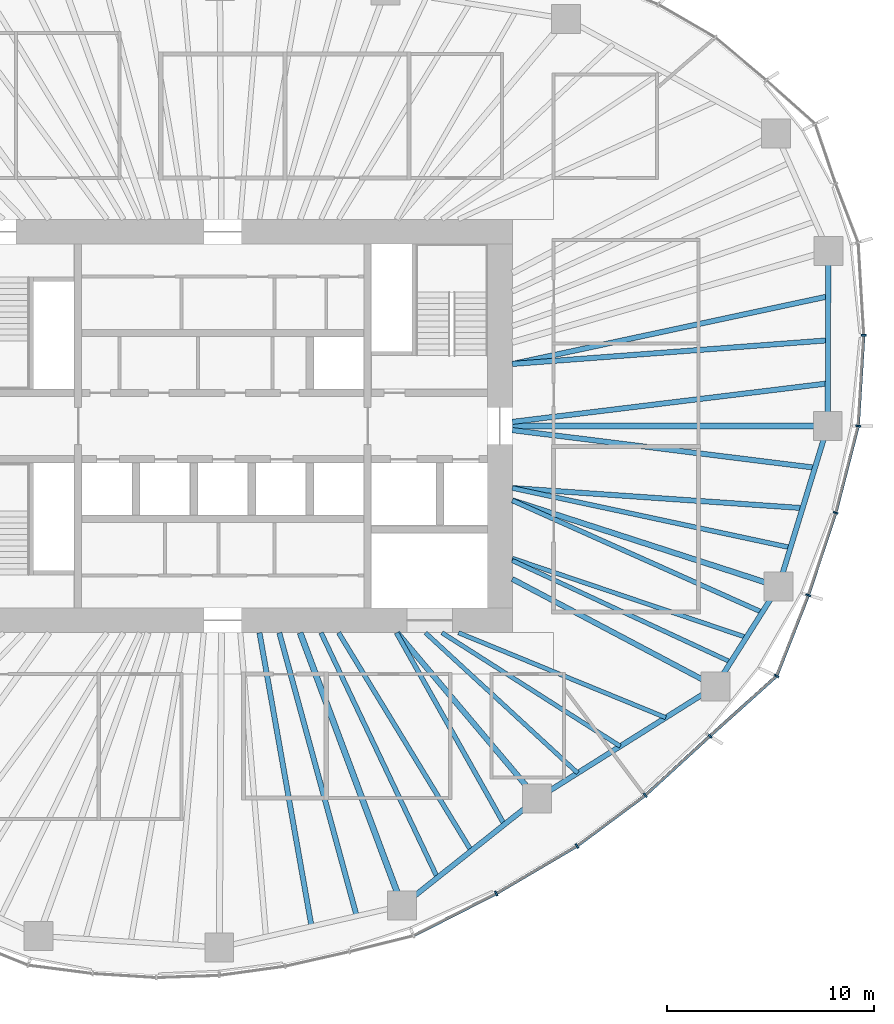
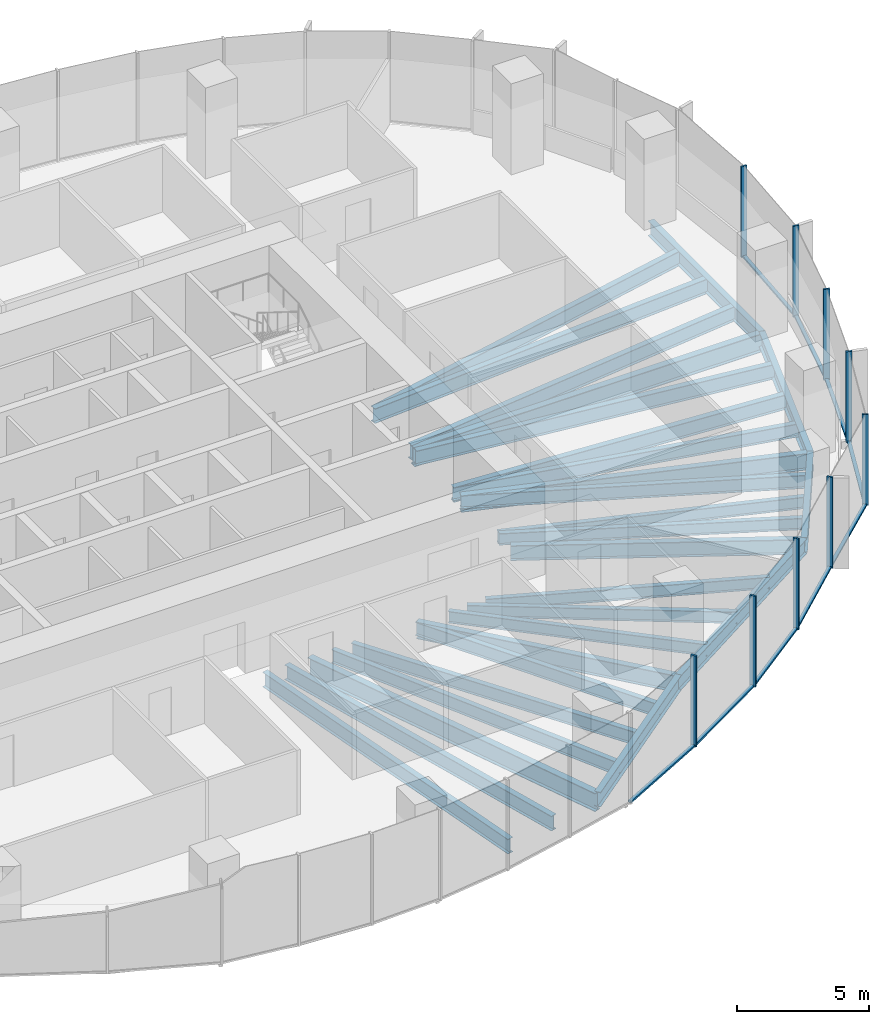
# One storey, part 4 of 18: 27 beams, 18 members, 5 elements without a shape of their own.
"""IFC4 building model written with IfcOpenShell, lengths in metres."""

from ifc_helpers import new_model, si_unit, direction, frame, origin, origin_2d, place, context, subcontext, project, spatial, rectangle, i_section, extrude, material, material_profile, profile_set, type_object, element, aggregate, save


model = new_model("IFC4")

# Units and contexts
model_context = context("Model", 3, precision=1e-05, world=origin(), true_north=direction((0.0, 1.0)))
body_context = subcontext(model_context, "Body", "Model", "MODEL_VIEW")
ifc_project = project(units=[si_unit("LENGTHUNIT", "METRE"), si_unit("AREAUNIT", "SQUARE_METRE"), si_unit("VOLUMEUNIT", "CUBIC_METRE"), si_unit("PLANEANGLEUNIT", "RADIAN"), si_unit("MASSUNIT", "GRAM", prefix="KILO")], contexts=[model_context])

# Site, building, storey
site_placement = place(None, origin())
site = spatial("IfcSite", under=ifc_project, at=site_placement, CompositionType="ELEMENT")
building_placement = place(site_placement, origin())
building = spatial("IfcBuilding", under=site, at=building_placement, Name="Ghaith Harvest Tower", CompositionType="ELEMENT")
storey_placement = place(building_placement, frame((0.0, 0.0, 163.800048828125)))
storey = spatial("IfcBuildingStorey", under=building, at=storey_placement, Name="L35", CompositionType="ELEMENT", Elevation=163.800048828125)

# Curtain wall, members
ifc_material_1 = material(Name="Black anodised aluminium and fritted glass", Category="aluminium")
curtain_wall_type = type_object("IfcCurtainWallType", Name="CW-L CURTAIN WALL", PredefinedType="NOTDEFINED", material=ifc_material_1)
curtain_wall_1_placement = place(storey_placement, origin())
curtain_wall_1 = element("IfcCurtainWall", 1, at=curtain_wall_1_placement, inside=storey, type_object=curtain_wall_type, Name="Curtain wall CW-L bay 01 L35", PredefinedType="NOTDEFINED")
ifc_material_2 = material(Name="Aluminium, black anodised", Category="aluminium")
ifc_material_profile_1 = material_profile(ifc_material_2, rectangle(XDim=0.080078125, YDim=0.239990234375, at=origin_2d()), Name="CW-L MULLION 80x240")
ifc_profile_set_1 = profile_set([ifc_material_profile_1], Name="Aluminium, black anodised")
member_type_1 = type_object("IfcMemberType", Name="CW-L MULLION 80x240", PredefinedType="MULLION", material=ifc_profile_set_1)
member_1_placement = place(storey_placement, frame((30.728759765625, 0.0, 0.0), z_axis=(0.0, 0.0, 1.0), x_axis=(0.155597142981, 0.987820595602, 0.0)))
member_1 = element("IfcMember", 2, at=member_1_placement, type_object=member_type_1, Name="CW-L mullion 1 bay 01 L35", PredefinedType="MULLION", context=body_context, shape_type="SweptSolid", body=[
    extrude(rectangle(XDim=0.080078125, YDim=0.239990234375, at=origin_2d()), origin(), (0.0, 0.0, 1.0), 4.199951171875),
])
member_2_placement = place(storey_placement, frame((30.998779296875, 4.389892578125, 0.0), z_axis=(0.0, 0.0, 1.0), x_axis=(-0.000162467394, 0.999999986802, 0.0)))
member_2 = element("IfcMember", 3, at=member_2_placement, type_object=member_type_1, Name="CW-L mullion 2 bay 01 L35", PredefinedType="MULLION", context=body_context, shape_type="SweptSolid", body=[
    extrude(rectangle(XDim=0.080078125, YDim=0.239990234375, at=origin_2d()), origin(), (0.0, 0.0, 1.0), 4.199951171875),
])

# Curtain wall, member
curtain_wall_2_placement = place(storey_placement, origin())
curtain_wall_2 = element("IfcCurtainWall", 4, at=curtain_wall_2_placement, inside=storey, type_object=curtain_wall_type, Name="Curtain wall CW-L bay 17 L35", PredefinedType="NOTDEFINED")
member_3_placement = place(storey_placement, frame((13.224365234375, -22.614013671875, 0.0), z_axis=(0.0, 0.0, 1.0), x_axis=(0.876898762173, 0.480675109507, 0.0)))
member_3 = element("IfcMember", 5, at=member_3_placement, type_object=member_type_1, Name="CW-L mullion 2 bay 17 L35", PredefinedType="MULLION", context=body_context, shape_type="SweptSolid", body=[
    extrude(rectangle(XDim=0.080078125, YDim=0.239990234375, at=origin_2d()), origin(), (0.0, 0.0, 1.0), 4.199951171875),
])

# Curtain wall, members
curtain_wall_3_placement = place(storey_placement, origin())
curtain_wall_3 = element("IfcCurtainWall", 6, at=curtain_wall_3_placement, inside=storey, type_object=curtain_wall_type, Name="Curtain wall CW-L bay 18 L35", PredefinedType="NOTDEFINED")
member_4_placement = place(storey_placement, frame((17.1318359375, -20.31591796875, 0.0), z_axis=(0.0, 0.0, 1.0), x_axis=(0.834887453241, 0.550420694035, 0.0)))
member_4 = element("IfcMember", 7, at=member_4_placement, type_object=member_type_1, Name="CW-L mullion 1 bay 18 L35", PredefinedType="MULLION", context=body_context, shape_type="SweptSolid", body=[
    extrude(rectangle(XDim=0.080078125, YDim=0.239990234375, at=origin_2d()), origin(), (0.0, 0.0, 1.0), 4.199951171875),
])
member_5_placement = place(storey_placement, frame((20.4296875, -17.86376953125, 0.0), z_axis=(0.0, 0.0, 1.0), x_axis=(0.770306399656, 0.637673937564, 0.0)))
member_5 = element("IfcMember", 8, at=member_5_placement, type_object=member_type_1, Name="CW-L mullion 2 bay 18 L35", PredefinedType="MULLION", context=body_context, shape_type="SweptSolid", body=[
    extrude(rectangle(XDim=0.080078125, YDim=0.239990234375, at=origin_2d()), origin(), (0.0, 0.0, 1.0), 4.199951171875),
])

curtain_wall_4_placement = place(storey_placement, origin())
curtain_wall_4 = element("IfcCurtainWall", 9, at=curtain_wall_4_placement, inside=storey, type_object=curtain_wall_type, Name="Curtain wall CW-L bay 19 L35", PredefinedType="NOTDEFINED")
member_6_placement = place(storey_placement, frame((23.560546875, -14.994140625, 0.0), z_axis=(0.0, 0.0, 1.0), x_axis=(0.740389054945, 0.672178582906, 0.0)))
member_6 = element("IfcMember", 10, at=member_6_placement, type_object=member_type_1, Name="CW-L mullion 1 bay 19 L35", PredefinedType="MULLION", context=body_context, shape_type="SweptSolid", body=[
    extrude(rectangle(XDim=0.080078125, YDim=0.239990234375, at=origin_2d()), origin(), (0.0, 0.0, 1.0), 4.199951171875),
])
member_7_placement = place(storey_placement, frame((26.786376953125, -12.0927734375, 0.0), z_axis=(0.0, 0.0, 1.0), x_axis=(0.572853476908, 0.819657790785, 0.0)))
member_7 = element("IfcMember", 11, at=member_7_placement, type_object=member_type_1, Name="CW-L mullion 2 bay 19 L35", PredefinedType="MULLION", context=body_context, shape_type="SweptSolid", body=[
    extrude(rectangle(XDim=0.080078125, YDim=0.239990234375, at=origin_2d()), origin(), (0.0, 0.0, 1.0), 4.199951171875),
])

curtain_wall_5_placement = place(storey_placement, origin())
curtain_wall_5 = element("IfcCurtainWall", 12, at=curtain_wall_5_placement, inside=storey, type_object=curtain_wall_type, Name="Curtain wall CW-L bay 20 L35", PredefinedType="NOTDEFINED")
member_8_placement = place(storey_placement, frame((28.319580078125, -8.184814453125, 0.0), z_axis=(0.0, 0.0, 1.0), x_axis=(0.34057402484, 0.94021770543, 0.0)))
member_8 = element("IfcMember", 13, at=member_8_placement, type_object=member_type_1, Name="CW-L mullion 1 bay 20 L35", PredefinedType="MULLION", context=body_context, shape_type="SweptSolid", body=[
    extrude(rectangle(XDim=0.080078125, YDim=0.239990234375, at=origin_2d()), origin(), (0.0, 0.0, 1.0), 4.199951171875),
])
member_9_placement = place(storey_placement, frame((29.64599609375, -4.1982421875, 0.0), z_axis=(0.0, 0.0, 1.0), x_axis=(0.282375140161, 0.959304060358, 0.0)))
member_9 = element("IfcMember", 14, at=member_9_placement, type_object=member_type_1, Name="CW-L mullion 2 bay 20 L35", PredefinedType="MULLION", context=body_context, shape_type="SweptSolid", body=[
    extrude(rectangle(XDim=0.080078125, YDim=0.239990234375, at=origin_2d()), origin(), (0.0, 0.0, 1.0), 4.199951171875),
])

# Member
ifc_material_3 = material(Name="Aluminium, black anodised", Category="aluminium")
ifc_material_profile_2 = material_profile(ifc_material_3, rectangle(XDim=0.14990234375, YDim=0.080078125, at=origin_2d()), Name="CW-L TRANSOM 150x80")
ifc_profile_set_2 = profile_set([ifc_material_profile_2], Name="Aluminium, black anodised")
member_type_2 = type_object("IfcMemberType", Name="CW-L TRANSOM 150x80", PredefinedType="USERDEFINED", material=ifc_profile_set_2)
member_10_placement = place(storey_placement, frame((30.731201171875, 0.0400390625, 0.0400390625), z_axis=(0.061403204251, 0.99811304295, 0.0), x_axis=(-0.99811304295, 0.061403204251, 0.0)))
member_10 = element("IfcMember", 15, at=member_10_placement, type_object=member_type_2, Name="CW-L transom 1 bay 01 L35", ObjectType="TRANSOM", PredefinedType="USERDEFINED", context=body_context, shape_type="SweptSolid", body=[
    extrude(rectangle(XDim=0.14990234375, YDim=0.080078125, at=origin_2d()), origin(), (0.0, 0.0, 1.0), 4.31787109375),
])

aggregate(curtain_wall_1, [member_1, member_10, member_2])

member_11_placement = place(storey_placement, frame((9.25244140625, -24.636474609375, 0.0400390625), z_axis=(0.891120044719, 0.453767634258, 0.0), x_axis=(-0.453767634258, 0.891120044719, 0.0)))
member_11 = element("IfcMember", 16, at=member_11_placement, type_object=member_type_2, Name="CW-L transom 1 bay 17 L35", ObjectType="TRANSOM", PredefinedType="USERDEFINED", context=body_context, shape_type="SweptSolid", body=[
    extrude(rectangle(XDim=0.14990234375, YDim=0.080078125, at=origin_2d()), origin(), (0.0, 0.0, 1.0), 4.417236328125),
])

member_12_placement = place(storey_placement, frame((13.259033203125, -22.59375, 0.0400390625), z_axis=(0.86196381091, 0.506969810424, 0.0), x_axis=(-0.506969810424, 0.86196381091, 0.0)))
member_12 = element("IfcMember", 17, at=member_12_placement, type_object=member_type_2, Name="CW-L transom 2 bay 17 L35", ObjectType="TRANSOM", PredefinedType="USERDEFINED", context=body_context, shape_type="SweptSolid", body=[
    extrude(rectangle(XDim=0.14990234375, YDim=0.080078125, at=origin_2d()), origin(), (0.0, 0.0, 1.0), 4.453125),
])

aggregate(curtain_wall_2, [member_11, member_3, member_12])

member_13_placement = place(storey_placement, frame((17.1640625, -20.2919921875, 0.0400390625), z_axis=(0.802465316609, 0.59669876457, 0.0), x_axis=(-0.59669876457, 0.802465316609, 0.0)))
member_13 = element("IfcMember", 18, at=member_13_placement, type_object=member_type_2, Name="CW-L transom 1 bay 18 L35", ObjectType="TRANSOM", PredefinedType="USERDEFINED", context=body_context, shape_type="SweptSolid", body=[
    extrude(rectangle(XDim=0.14990234375, YDim=0.080078125, at=origin_2d()), origin(), (0.0, 0.0, 1.0), 4.029296875),
])

member_14_placement = place(storey_placement, frame((20.459228515625, -17.836669921875, 0.0400390625), z_axis=(0.737197916434, 0.675676869521, 0.0), x_axis=(-0.675676869521, 0.737197916434, 0.0)))
member_14 = element("IfcMember", 19, at=member_14_placement, type_object=member_type_2, Name="CW-L transom 2 bay 18 L35", ObjectType="TRANSOM", PredefinedType="USERDEFINED", context=body_context, shape_type="SweptSolid", body=[
    extrude(rectangle(XDim=0.14990234375, YDim=0.080078125, at=origin_2d()), origin(), (0.0, 0.0, 1.0), 4.166748046875),
])

aggregate(curtain_wall_3, [member_4, member_13, member_5, member_14])

member_15_placement = place(storey_placement, frame((23.59033203125, -14.967529296875, 0.0400390625), z_axis=(0.74346800111, 0.668771509056, 0.0), x_axis=(-0.668771509056, 0.74346800111, 0.0)))
member_15 = element("IfcMember", 20, at=member_15_placement, type_object=member_type_2, Name="CW-L transom 1 bay 19 L35", ObjectType="TRANSOM", PredefinedType="USERDEFINED", context=body_context, shape_type="SweptSolid", body=[
    extrude(rectangle(XDim=0.14990234375, YDim=0.080078125, at=origin_2d()), origin(), (0.0, 0.0, 1.0), 4.2587890625),
])

member_16_placement = place(storey_placement, frame((26.801025390625, -12.055419921875, 0.0400390625), z_axis=(0.365228588652, 0.930917868575, 0.0), x_axis=(-0.930917868575, 0.365228588652, 0.0)))
member_16 = element("IfcMember", 21, at=member_16_placement, type_object=member_type_2, Name="CW-L transom 2 bay 19 L35", ObjectType="TRANSOM", PredefinedType="USERDEFINED", context=body_context, shape_type="SweptSolid", body=[
    extrude(rectangle(XDim=0.14990234375, YDim=0.080078125, at=origin_2d()), origin(), (0.0, 0.0, 1.0), 4.11767578125),
])

aggregate(curtain_wall_4, [member_6, member_15, member_7, member_16])

member_17_placement = place(storey_placement, frame((28.33203125, -8.14697265625, 0.0400390625), z_axis=(0.315712391444, 0.948854934059, 0.0), x_axis=(-0.948854934059, 0.315712391444, 0.0)))
member_17 = element("IfcMember", 22, at=member_17_placement, type_object=member_type_2, Name="CW-L transom 1 bay 20 L35", ObjectType="TRANSOM", PredefinedType="USERDEFINED", context=body_context, shape_type="SweptSolid", body=[
    extrude(rectangle(XDim=0.14990234375, YDim=0.080078125, at=origin_2d()), origin(), (0.0, 0.0, 1.0), 4.12158203125),
])

member_18_placement = place(storey_placement, frame((29.656005859375, -4.159423828125, 0.0400390625), z_axis=(0.249737470584, 0.968313583395, 0.0), x_axis=(-0.968313583395, 0.249737470584, 0.0)))
member_18 = element("IfcMember", 23, at=member_18_placement, type_object=member_type_2, Name="CW-L transom 2 bay 20 L35", ObjectType="TRANSOM", PredefinedType="USERDEFINED", context=body_context, shape_type="SweptSolid", body=[
    extrude(rectangle(XDim=0.14990234375, YDim=0.080078125, at=origin_2d()), origin(), (0.0, 0.0, 1.0), 4.25537109375),
])

aggregate(curtain_wall_5, [member_8, member_17, member_9, member_18])

# Beams
ifc_material_4 = material(Name="Steel ASTM A992 Grade 50", Category="steel")
ifc_material_profile_3 = material_profile(ifc_material_4, i_section(OverallWidth=0.25390625, OverallDepth=0.68408203125, WebThickness=0.012451171875, FlangeThickness=0.018798828125, at=origin_2d()), Name="W690X140")
ifc_profile_set_3 = profile_set([ifc_material_profile_3], Name="Steel ASTM A992 Grade 50")
beam_type_1 = type_object("IfcBeamType", Name="E690-140 W690X140", PredefinedType="SPANDREL", material=ifc_profile_set_3)
beam_1_placement = place(storey_placement, frame((29.259033203125, 0.0, -0.511962890625), z_axis=(0.003172847394, 0.999994966507, 0.0), x_axis=(-0.999994966507, 0.003172847394, 0.0)))
element("IfcBeam", 24, at=beam_1_placement, inside=storey, type_object=beam_type_1, Name="Edge beam E01 L35", PredefinedType="SPANDREL", context=body_context, shape_type="SweptSolid", body=[
    extrude(i_section(OverallWidth=0.25390625, OverallDepth=0.68408203125, WebThickness=0.012451171875, FlangeThickness=0.018798828125, at=origin_2d()), origin(), (0.0, 0.0, 1.0), 8.464111328125),
])
beam_2_placement = place(storey_placement, frame((8.674072265625, -23.202880859375, -0.511962890625), z_axis=(0.783159540917, 0.621820821033, 0.0), x_axis=(-0.621820821033, 0.783159540917, 0.0)))
element("IfcBeam", 25, at=beam_2_placement, inside=storey, type_object=beam_type_1, Name="Edge beam E17 L35", PredefinedType="SPANDREL", context=body_context, shape_type="SweptSolid", body=[
    extrude(i_section(OverallWidth=0.25390625, OverallDepth=0.68408203125, WebThickness=0.012451171875, FlangeThickness=0.018798828125, at=origin_2d()), origin(), (0.0, 0.0, 1.0), 8.330322265625),
])
beam_3_placement = place(storey_placement, frame((15.197998046875, -18.02294921875, -0.511962890625), z_axis=(0.846385185363, 0.532571232793, 0.0), x_axis=(-0.532571232793, 0.846385185363, 0.0)))
element("IfcBeam", 26, at=beam_3_placement, inside=storey, type_object=beam_type_1, Name="Edge beam E18 L35", PredefinedType="SPANDREL", context=body_context, shape_type="SweptSolid", body=[
    extrude(i_section(OverallWidth=0.25390625, OverallDepth=0.68408203125, WebThickness=0.012451171875, FlangeThickness=0.018798828125, at=origin_2d()), origin(), (0.0, 0.0, 1.0), 10.19384765625),
])
beam_4_placement = place(storey_placement, frame((23.825927734375, -12.593994140625, -0.511962890625), z_axis=(0.534499624093, 0.845168712059, 0.0), x_axis=(-0.845168712059, 0.534499624093, 0.0)))
element("IfcBeam", 27, at=beam_4_placement, inside=storey, type_object=beam_type_1, Name="Edge beam E19 L35", PredefinedType="SPANDREL", context=body_context, shape_type="SweptSolid", body=[
    extrude(i_section(OverallWidth=0.25390625, OverallDepth=0.68408203125, WebThickness=0.012451171875, FlangeThickness=0.018798828125, at=origin_2d()), origin(), (0.0, 0.0, 1.0), 5.7099609375),
])
beam_5_placement = place(storey_placement, frame((26.8779296875, -7.76806640625, -0.511962890625), z_axis=(0.293065809375, 0.956092271371, 0.0), x_axis=(-0.956092271371, 0.293065809375, 0.0)))
element("IfcBeam", 28, at=beam_5_placement, inside=storey, type_object=beam_type_1, Name="Edge beam E20 L35", PredefinedType="SPANDREL", context=body_context, shape_type="SweptSolid", body=[
    extrude(i_section(OverallWidth=0.25390625, OverallDepth=0.68408203125, WebThickness=0.012451171875, FlangeThickness=0.018798828125, at=origin_2d()), origin(), (0.0, 0.0, 1.0), 8.124755859375),
])
ifc_material_5 = material(Name="Steel ASTM A992 Grade 50", Category="steel")
ifc_material_profile_4 = material_profile(ifc_material_5, i_section(OverallWidth=0.256103515625, OverallDepth=0.693115234375, WebThickness=0.014404296875, FlangeThickness=0.023681640625, at=origin_2d()), Name="W690X170")
ifc_profile_set_4 = profile_set([ifc_material_profile_4], Name="Steel ASTM A992 Grade 50")
beam_type_2 = type_object("IfcBeamType", Name="G690-170 W690X170", PredefinedType="BEAM", material=ifc_profile_set_4)
beam_6_placement = place(storey_placement, frame((14.0, -7.39990234375, -0.5166015625), z_axis=(0.884080549082, -0.467334551189, 0.0), x_axis=(0.467334551189, 0.884080549082, 0.0)))
element("IfcBeam", 29, at=beam_6_placement, inside=storey, type_object=beam_type_2, Name="Radial girder G19 L35", PredefinedType="BEAM", context=body_context, shape_type="SweptSolid", body=[
    extrude(i_section(OverallWidth=0.256103515625, OverallDepth=0.693115234375, WebThickness=0.014404296875, FlangeThickness=0.023681640625, at=origin_2d()), origin(), (0.0, 0.0, 1.0), 11.1142578125),
])
ifc_material_6 = material(Name="Steel ASTM A992 Grade 50", Category="steel")
ifc_material_profile_5 = material_profile(ifc_material_6, i_section(OverallWidth=0.26806640625, OverallDepth=0.77001953125, WebThickness=0.015625, FlangeThickness=0.025390625, at=origin_2d()), Name="W760X196")
ifc_profile_set_5 = profile_set([ifc_material_profile_5], Name="Steel ASTM A992 Grade 50")
beam_type_3 = type_object("IfcBeamType", Name="G760-196 W760X196", PredefinedType="BEAM", material=ifc_profile_set_5)
beam_7_placement = place(storey_placement, frame((8.4326171875, -10.0, -0.554931640625), z_axis=(0.644649240595, -0.764478486682, 0.0), x_axis=(0.764478486682, 0.644649240595, 0.0)))
element("IfcBeam", 30, at=beam_7_placement, inside=storey, type_object=beam_type_3, Name="Radial girder G18 L35", PredefinedType="BEAM", context=body_context, shape_type="SweptSolid", body=[
    extrude(i_section(OverallWidth=0.26806640625, OverallDepth=0.77001953125, WebThickness=0.015625, FlangeThickness=0.025390625, at=origin_2d()), origin(), (0.0, 0.0, 1.0), 10.49462890625),
])
beam_8_placement = place(storey_placement, frame((14.0, -3.60009765625, -0.554931640625), z_axis=(0.951410331565, -0.307925934262, 0.0), x_axis=(0.307925934262, 0.951410331565, 0.0)))
element("IfcBeam", 31, at=beam_8_placement, inside=storey, type_object=beam_type_3, Name="Radial girder G20 L35", PredefinedType="BEAM", context=body_context, shape_type="SweptSolid", body=[
    extrude(i_section(OverallWidth=0.26806640625, OverallDepth=0.77001953125, WebThickness=0.015625, FlangeThickness=0.025390625, at=origin_2d()), origin(), (0.0, 0.0, 1.0), 13.53564453125),
])
ifc_material_7 = material(Name="Steel ASTM A992 Grade 50", Category="steel")
ifc_material_profile_6 = material_profile(ifc_material_7, i_section(OverallWidth=0.2939453125, OverallDepth=0.85107421875, WebThickness=0.01611328125, FlangeThickness=0.02685546875, at=origin_2d()), Name="W840X226")
ifc_profile_set_6 = profile_set([ifc_material_profile_6], Name="Steel ASTM A992 Grade 50")
beam_type_4 = type_object("IfcBeamType", Name="G840-226 W840X226", PredefinedType="BEAM", material=ifc_profile_set_6)
beam_9_placement = place(storey_placement, frame((14.0, 0.0, -0.595458984375), z_axis=(1.0, 0.0, 0.0), x_axis=(0.0, 1.0, 0.0)))
element("IfcBeam", 32, at=beam_9_placement, inside=storey, type_object=beam_type_4, Name="Radial girder G01 L35", PredefinedType="BEAM", context=body_context, shape_type="SweptSolid", body=[
    extrude(i_section(OverallWidth=0.2939453125, OverallDepth=0.85107421875, WebThickness=0.01611328125, FlangeThickness=0.02685546875, at=origin_2d()), origin(), (0.0, 0.0, 1.0), 15.259033203125),
])
beam_10_placement = place(storey_placement, frame((3.73828125, -10.0, -0.595458984375), z_axis=(0.350172283717, -0.936685310932, 0.0), x_axis=(0.936685310932, 0.350172283717, 0.0)))
element("IfcBeam", 33, at=beam_10_placement, inside=storey, type_object=beam_type_4, Name="Radial girder G17 L35", PredefinedType="BEAM", context=body_context, shape_type="SweptSolid", body=[
    extrude(i_section(OverallWidth=0.2939453125, OverallDepth=0.85107421875, WebThickness=0.01611328125, FlangeThickness=0.02685546875, at=origin_2d()), origin(), (0.0, 0.0, 1.0), 14.09521484375),
])
ifc_material_8 = material(Name="Steel ASTM A992 Grade 50", Category="steel")
ifc_material_profile_7 = material_profile(ifc_material_8, i_section(OverallWidth=0.2109375, OverallDepth=0.5390625, WebThickness=0.01171875, FlangeThickness=0.018798828125, at=origin_2d()), Name="W530X109")
ifc_profile_set_7 = profile_set([ifc_material_profile_7], Name="Steel ASTM A992 Grade 50")
beam_type_5 = type_object("IfcBeamType", Name="J530-109 W530X109", PredefinedType="JOIST", material=ifc_profile_set_7)
beam_11_placement = place(storey_placement, frame((9.800048828125, -10.0, -0.439453125), z_axis=(0.735441512033, -0.677588210035, 0.0), x_axis=(0.677588210035, 0.735441512033, 0.0)))
element("IfcBeam", 34, at=beam_11_placement, inside=storey, type_object=beam_type_5, Name="Joist J18.1 L35", PredefinedType="JOIST", context=body_context, shape_type="SweptSolid", body=[
    extrude(i_section(OverallWidth=0.2109375, OverallDepth=0.5390625, WebThickness=0.01171875, FlangeThickness=0.018798828125, at=origin_2d()), origin(), (0.0, 0.0, 1.0), 10.01416015625),
])
beam_12_placement = place(storey_placement, frame((10.60009765625, -10.0, -0.439453125), z_axis=(0.843584777848, -0.536996017288, 0.0), x_axis=(0.536996017288, 0.843584777848, 0.0)))
element("IfcBeam", 35, at=beam_12_placement, inside=storey, type_object=beam_type_5, Name="Joist J18.2 L35", PredefinedType="JOIST", context=body_context, shape_type="SweptSolid", body=[
    extrude(i_section(OverallWidth=0.2109375, OverallDepth=0.5390625, WebThickness=0.01171875, FlangeThickness=0.018798828125, at=origin_2d()), origin(), (0.0, 0.0, 1.0), 10.22314453125),
])
beam_13_placement = place(storey_placement, frame((11.39990234375, -10.0, -0.439453125), z_axis=(0.925406878607, -0.378975077053, 0.0), x_axis=(0.378975077053, 0.925406878607, 0.0)))
element("IfcBeam", 36, at=beam_13_placement, inside=storey, type_object=beam_type_5, Name="Joist J18.3 L35", PredefinedType="JOIST", context=body_context, shape_type="SweptSolid", body=[
    extrude(i_section(OverallWidth=0.2109375, OverallDepth=0.5390625, WebThickness=0.01171875, FlangeThickness=0.018798828125, at=origin_2d()), origin(), (0.0, 0.0, 1.0), 10.83251953125),
])
beam_14_placement = place(storey_placement, frame((14.0, -6.506103515625, -0.439453125), z_axis=(0.906863188232, -0.421425150922, 0.0), x_axis=(0.421425150922, 0.906863188232, 0.0)))
element("IfcBeam", 37, at=beam_14_placement, inside=storey, type_object=beam_type_5, Name="Joist J19.1 L35", PredefinedType="JOIST", context=body_context, shape_type="SweptSolid", body=[
    extrude(i_section(OverallWidth=0.2109375, OverallDepth=0.5390625, WebThickness=0.01171875, FlangeThickness=0.018798828125, at=origin_2d()), origin(), (0.0, 0.0, 1.0), 11.6552734375),
])
beam_15_placement = place(storey_placement, frame((14.0, -6.39990234375, -0.439453125), z_axis=(0.947372072272, -0.320134591508, 0.0), x_axis=(0.320134591508, 0.947372072272, 0.0)))
element("IfcBeam", 38, at=beam_15_placement, inside=storey, type_object=beam_type_5, Name="Joist J19.2 L35", PredefinedType="JOIST", context=body_context, shape_type="SweptSolid", body=[
    extrude(i_section(OverallWidth=0.2109375, OverallDepth=0.5390625, WebThickness=0.01171875, FlangeThickness=0.018798828125, at=origin_2d()), origin(), (0.0, 0.0, 1.0), 11.95263671875),
])
ifc_material_9 = material(Name="Steel ASTM A992 Grade 50", Category="steel")
ifc_material_profile_8 = material_profile(ifc_material_9, i_section(OverallWidth=0.22900390625, OverallDepth=0.612060546875, WebThickness=0.011962890625, FlangeThickness=0.01953125, at=origin_2d()), Name="W610X125")
ifc_profile_set_8 = profile_set([ifc_material_profile_8], Name="Steel ASTM A992 Grade 50")
beam_type_6 = type_object("IfcBeamType", Name="J610-125 W610X125", PredefinedType="JOIST", material=ifc_profile_set_8)
beam_16_placement = place(storey_placement, frame((4.75, -10.0, -0.47607421875), z_axis=(0.429062888327, -0.903274619294, 0.0), x_axis=(0.903274619294, 0.429062888327, 0.0)))
element("IfcBeam", 39, at=beam_16_placement, inside=storey, type_object=beam_type_6, Name="Joist J17.1 L35", PredefinedType="JOIST", context=body_context, shape_type="SweptSolid", body=[
    extrude(i_section(OverallWidth=0.22900390625, OverallDepth=0.612060546875, WebThickness=0.011962890625, FlangeThickness=0.01953125, at=origin_2d()), origin(), (0.0, 0.0, 1.0), 13.118408203125),
])
beam_17_placement = place(storey_placement, frame((5.60009765625, -10.0, -0.47607421875), z_axis=(0.51969412955, -0.854352393167, 0.0), x_axis=(0.854352393167, 0.51969412955, 0.0)))
element("IfcBeam", 40, at=beam_17_placement, inside=storey, type_object=beam_type_6, Name="Joist J17.2 L35", PredefinedType="JOIST", context=body_context, shape_type="SweptSolid", body=[
    extrude(i_section(OverallWidth=0.22900390625, OverallDepth=0.612060546875, WebThickness=0.011962890625, FlangeThickness=0.01953125, at=origin_2d()), origin(), (0.0, 0.0, 1.0), 12.34716796875),
])
beam_18_placement = place(storey_placement, frame((8.39990234375, -10.0, -0.47607421875), z_axis=(0.489936713337, -0.871758003648, 0.0), x_axis=(0.871758003648, 0.489936713337, 0.0)))
element("IfcBeam", 41, at=beam_18_placement, inside=storey, type_object=beam_type_6, Name="Joist J17.3 L35", PredefinedType="JOIST", context=body_context, shape_type="SweptSolid", body=[
    extrude(i_section(OverallWidth=0.22900390625, OverallDepth=0.612060546875, WebThickness=0.011962890625, FlangeThickness=0.01953125, at=origin_2d()), origin(), (0.0, 0.0, 1.0), 10.64501953125),
])
beam_19_placement = place(storey_placement, frame((14.0, -3.60009765625, -0.47607421875), z_axis=(0.912738327266, -0.408544668231, 0.0), x_axis=(0.408544668231, 0.912738327266, 0.0)))
element("IfcBeam", 42, at=beam_19_placement, inside=storey, type_object=beam_type_6, Name="Joist J19.3 L35", PredefinedType="JOIST", context=body_context, shape_type="SweptSolid", body=[
    extrude(i_section(OverallWidth=0.22900390625, OverallDepth=0.612060546875, WebThickness=0.011962890625, FlangeThickness=0.01953125, at=origin_2d()), origin(), (0.0, 0.0, 1.0), 13.247314453125),
])
beam_20_placement = place(storey_placement, frame((14.0, -3.0, -0.47607421875), z_axis=(0.97783433664, -0.209380061343, 0.0), x_axis=(0.209380061343, 0.97783433664, 0.0)))
element("IfcBeam", 43, at=beam_20_placement, inside=storey, type_object=beam_type_6, Name="Joist J20.1 L35", PredefinedType="JOIST", context=body_context, shape_type="SweptSolid", body=[
    extrude(i_section(OverallWidth=0.22900390625, OverallDepth=0.612060546875, WebThickness=0.011962890625, FlangeThickness=0.01953125, at=origin_2d()), origin(), (0.0, 0.0, 1.0), 13.76123046875),
])
ifc_material_10 = material(Name="Steel ASTM A992 Grade 50", Category="steel")
ifc_material_profile_9 = material_profile(ifc_material_10, i_section(OverallWidth=0.25390625, OverallDepth=0.68408203125, WebThickness=0.012451171875, FlangeThickness=0.018798828125, at=origin_2d()), Name="W690X140")
ifc_profile_set_9 = profile_set([ifc_material_profile_9], Name="Steel ASTM A992 Grade 50")
beam_type_7 = type_object("IfcBeamType", Name="J690-140 W690X140", PredefinedType="JOIST", material=ifc_profile_set_9)
beam_21_placement = place(storey_placement, frame((14.0, 0.199951171875, -0.511962890625), z_axis=(0.992642759881, 0.121079937462, 0.0), x_axis=(-0.121079937462, 0.992642759881, 0.0)))
element("IfcBeam", 44, at=beam_21_placement, inside=storey, type_object=beam_type_7, Name="Joist J01.1 L35", PredefinedType="JOIST", context=body_context, shape_type="SweptSolid", body=[
    extrude(i_section(OverallWidth=0.25390625, OverallDepth=0.68408203125, WebThickness=0.012451171875, FlangeThickness=0.018798828125, at=origin_2d()), origin(), (0.0, 0.0, 1.0), 15.378662109375),
])
beam_22_placement = place(storey_placement, frame((14.0, 3.0, -0.511962890625), z_axis=(0.997200052902, 0.074780040735, 0.0), x_axis=(-0.074780040735, 0.997200052902, 0.0)))
element("IfcBeam", 45, at=beam_22_placement, inside=storey, type_object=beam_type_7, Name="Joist J01.2 L35", PredefinedType="JOIST", context=body_context, shape_type="SweptSolid", body=[
    extrude(i_section(OverallWidth=0.25390625, OverallDepth=0.68408203125, WebThickness=0.012451171875, FlangeThickness=0.018798828125, at=origin_2d()), origin(), (0.0, 0.0, 1.0), 15.315185546875),
])
beam_23_placement = place(storey_placement, frame((14.0, 3.0, -0.511962890625), z_axis=(0.977833271545, 0.209385035425, 0.0), x_axis=(-0.209385035425, 0.977833271545, 0.0)))
element("IfcBeam", 46, at=beam_23_placement, inside=storey, type_object=beam_type_7, Name="Joist J01.3 L35", PredefinedType="JOIST", context=body_context, shape_type="SweptSolid", body=[
    extrude(i_section(OverallWidth=0.25390625, OverallDepth=0.68408203125, WebThickness=0.012451171875, FlangeThickness=0.018798828125, at=origin_2d()), origin(), (0.0, 0.0, 1.0), 15.62548828125),
])
beam_24_placement = place(storey_placement, frame((1.772705078125, -10.0, -0.511962890625), z_axis=(0.174552818486, -0.98464781194, 0.0), x_axis=(0.98464781194, 0.174552818486, 0.0)))
element("IfcBeam", 47, at=beam_24_placement, inside=storey, type_object=beam_type_7, Name="Joist J16.2 L35", PredefinedType="JOIST", context=body_context, shape_type="SweptSolid", body=[
    extrude(i_section(OverallWidth=0.25390625, OverallDepth=0.68408203125, WebThickness=0.012451171875, FlangeThickness=0.018798828125, at=origin_2d()), origin(), (0.0, 0.0, 1.0), 14.42578125),
])
beam_25_placement = place(storey_placement, frame((2.73095703125, -10.0, -0.511962890625), z_axis=(0.263463446032, -0.964669379946, 0.0), x_axis=(0.964669379946, 0.263463446032, 0.0)))
element("IfcBeam", 48, at=beam_25_placement, inside=storey, type_object=beam_type_7, Name="Joist J16.3 L35", PredefinedType="JOIST", context=body_context, shape_type="SweptSolid", body=[
    extrude(i_section(OverallWidth=0.25390625, OverallDepth=0.68408203125, WebThickness=0.012451171875, FlangeThickness=0.018798828125, at=origin_2d()), origin(), (0.0, 0.0, 1.0), 14.20751953125),
])
beam_26_placement = place(storey_placement, frame((14.0, -3.0, -0.511962890625), z_axis=(0.997616678907, -0.068999724397, 0.0), x_axis=(0.068999724397, 0.997616678907, 0.0)))
element("IfcBeam", 49, at=beam_26_placement, inside=storey, type_object=beam_type_7, Name="Joist J20.2 L35", PredefinedType="JOIST", context=body_context, shape_type="SweptSolid", body=[
    extrude(i_section(OverallWidth=0.25390625, OverallDepth=0.68408203125, WebThickness=0.012451171875, FlangeThickness=0.018798828125, at=origin_2d()), origin(), (0.0, 0.0, 1.0), 14.0751953125),
])
beam_27_placement = place(storey_placement, frame((14.0, -0.199951171875, -0.511962890625), z_axis=(0.992379127816, -0.123222021874, 0.0), x_axis=(0.123222021874, 0.992379127816, 0.0)))
element("IfcBeam", 50, at=beam_27_placement, inside=storey, type_object=beam_type_7, Name="Joist J20.3 L35", PredefinedType="JOIST", context=body_context, shape_type="SweptSolid", body=[
    extrude(i_section(OverallWidth=0.25390625, OverallDepth=0.68408203125, WebThickness=0.012451171875, FlangeThickness=0.018798828125, at=origin_2d()), origin(), (0.0, 0.0, 1.0), 14.7529296875),
])

save(model, "model.ifc")
